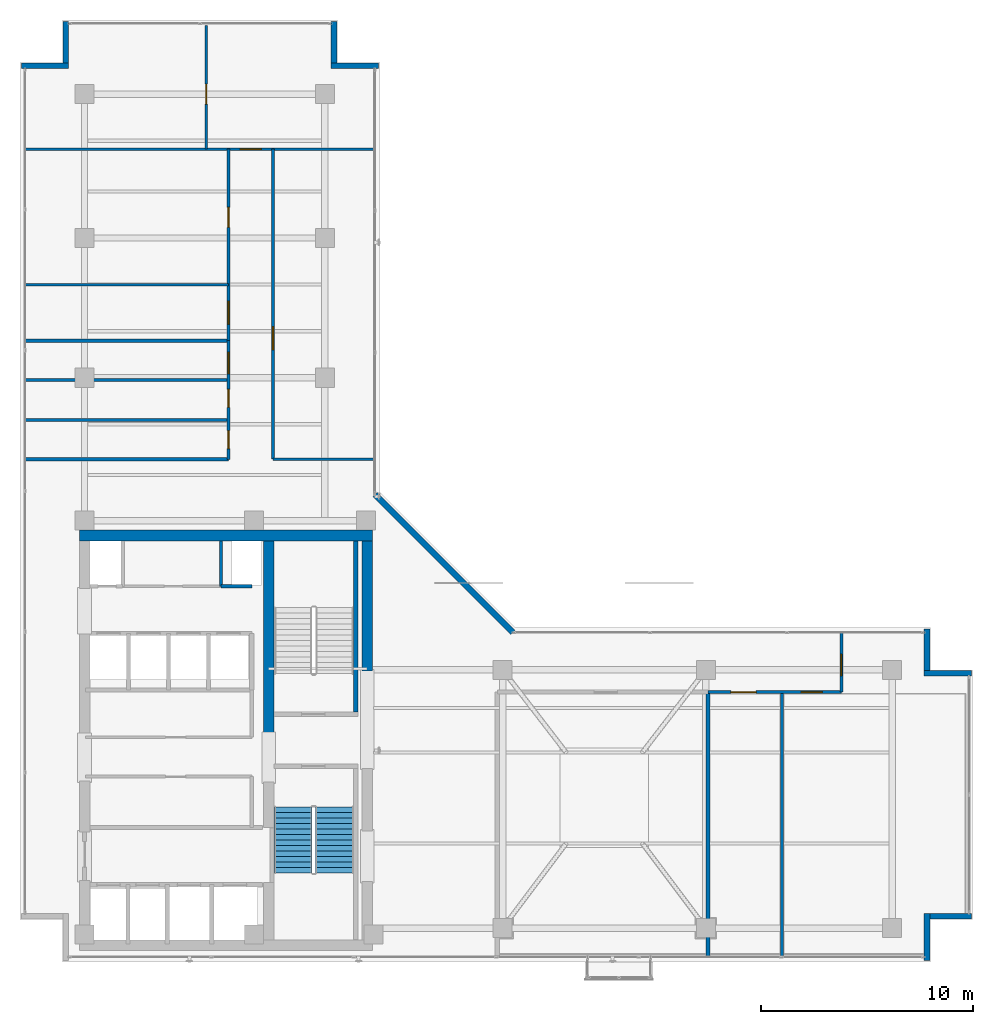
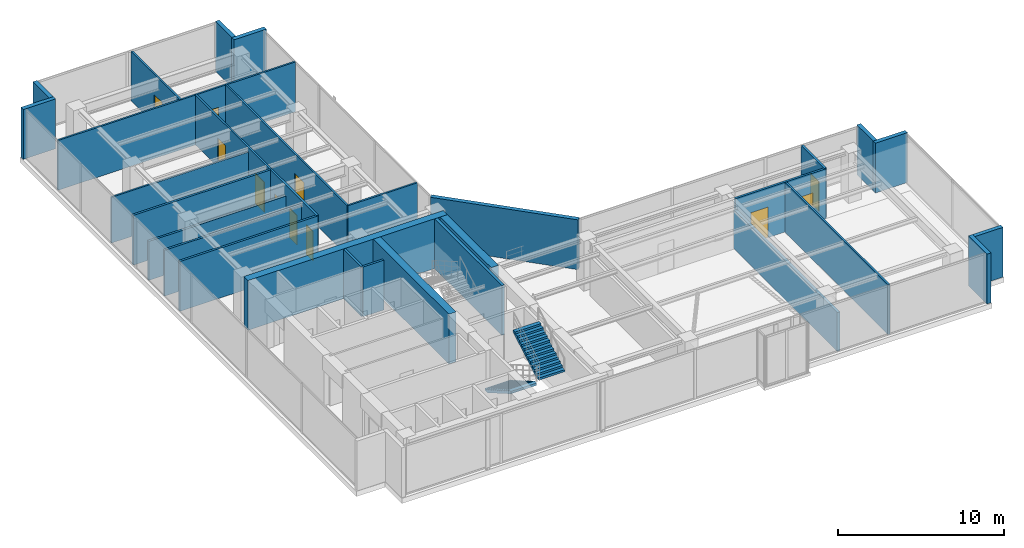
# One storey, part 25 of 31: 30 walls, 11 doors, 2 stair flights, 11 openings, 1 element without a shape of its own.
"""IFC4 building model written with IfcOpenShell, lengths in metres."""

from ifc_helpers import new_model, si_unit, direction, frame, frame_2d, origin, place, context, subcontext, project, spatial, polyline, rectangle, outline, extrude, material, layer, layer_set, type_object, element, fill, aggregate, save


model = new_model("IFC4")

# Units and contexts
model_context = context("Model", 3, precision=1e-05, world=origin(), true_north=direction((0.0, 1.0)))
body_context = subcontext(model_context, "Body", "Model", "MODEL_VIEW")
ifc_project = project(units=[si_unit("LENGTHUNIT", "METRE"), si_unit("AREAUNIT", "SQUARE_METRE"), si_unit("VOLUMEUNIT", "CUBIC_METRE"), si_unit("PLANEANGLEUNIT", "RADIAN"), si_unit("MASSUNIT", "GRAM", prefix="KILO")], contexts=[model_context])

# Site, building, storey
site_placement = place(None, origin())
site = spatial("IfcSite", under=ifc_project, at=site_placement, CompositionType="ELEMENT")
building_placement = place(site_placement, origin())
building = spatial("IfcBuilding", under=site, at=building_placement, Name="Kolvaren Waterfront Exchange", CompositionType="ELEMENT")
storey_placement = place(building_placement, frame((0.0, 0.0, 344.199951171875)))
storey = spatial("IfcBuildingStorey", under=building, at=storey_placement, Name="L88", CompositionType="ELEMENT", Elevation=344.199951171875)

# Walls
ifc_material_1 = material(Name="Precast concrete C40/50", Category="concrete")
ifc_layer_1 = layer(ifc_material_1, 0.280029296875, Name="Precast concrete C40/50")
ifc_layer_set_1 = layer_set([ifc_layer_1], Name="Precast concrete C40/50")
wall_type_1 = type_object("IfcWallType", Name="ARC-EXT-TERR-280", PredefinedType="SOLIDWALL", material=ifc_layer_set_1)
wall_1_placement = place(storey_placement, frame((47.239990234375, 3.659912109375, 0.0), z_axis=(0.0, 0.0, 1.0), x_axis=(0.0, 1.0, 0.0)))
element("IfcWall", 1, at=wall_1_placement, inside=storey, type_object=wall_type_1, Name="L88 notched corner spandrel pier SE-A", PredefinedType="SOLIDWALL", context=body_context, shape_type="SweptSolid", body=[
    extrude(rectangle(XDim=2.239990234375, YDim=0.280029296875, at=frame_2d((1.1201171875, 0.0))), origin(), (0.0, 0.0, 1.0), 3.66015625),
])
wall_2_placement = place(storey_placement, frame((47.3798828125, 5.760009765625, 0.0), z_axis=(0.0, 0.0, 1.0), x_axis=(1.0, 0.0, 0.0)))
element("IfcWall", 2, at=wall_2_placement, inside=storey, type_object=wall_type_1, Name="L88 notched corner spandrel pier SE-B", PredefinedType="SOLIDWALL", context=body_context, shape_type="SweptSolid", body=[
    extrude(rectangle(XDim=1.960205078125, YDim=0.280029296875, at=frame_2d((0.97998046875, 0.0))), origin(), (0.0, 0.0, 1.0), 3.66015625),
])
wall_3_placement = place(storey_placement, frame((47.239990234375, 17.364990234375, 0.0), z_axis=(0.0, 0.0, 1.0), x_axis=(0.0, 1.0, 0.0)))
element("IfcWall", 3, at=wall_3_placement, inside=storey, type_object=wall_type_1, Name="L88 notched corner spandrel pier ENE-A", PredefinedType="SOLIDWALL", context=body_context, shape_type="SweptSolid", body=[
    extrude(rectangle(XDim=1.97509765625, YDim=0.280029296875, at=frame_2d((0.987548828125, 0.0))), origin(), (0.0, 0.0, 1.0), 3.66015625),
])
for number, where, z_axis, x_axis, name in (
    (4, (47.10009765625, 17.239990234375, 0.0), (0.0, 0.0, 1.0), (1.0, 0.0, 0.0), "L88 notched corner spandrel pier ENE-B"),
    (5, (19.10009765625, 45.93994140625, 0.0), (0.0, 0.0, 1.0), (1.0, 0.0, 0.0), "L88 notched corner spandrel pier NNE-A"),
):
    element("IfcWall", number, at=place(storey_placement, frame(where, z_axis=z_axis, x_axis=x_axis)), inside=storey, type_object=wall_type_1, Name=name, PredefinedType="SOLIDWALL", context=body_context, shape_type="SweptSolid", body=[
        extrude(rectangle(XDim=2.239990234375, YDim=0.280029296875, at=frame_2d((1.1201171875, 0.0))), origin(), (0.0, 0.0, 1.0), 3.66015625),
    ])
wall_4_placement = place(storey_placement, frame((19.239990234375, 46.080078125, 0.0), z_axis=(0.0, 0.0, 1.0), x_axis=(0.0, 1.0, 0.0)))
element("IfcWall", 6, at=wall_4_placement, inside=storey, type_object=wall_type_1, Name="L88 notched corner spandrel pier NNE-B", PredefinedType="SOLIDWALL", context=body_context, shape_type="SweptSolid", body=[
    extrude(rectangle(XDim=1.9599609375, YDim=0.280029296875, at=frame_2d((0.97998046875, 0.0))), origin(), (0.0, 0.0, 1.0), 3.66015625),
])
wall_5_placement = place(storey_placement, frame((4.4599609375, 45.93994140625, 0.0), z_axis=(0.0, 0.0, 1.0), x_axis=(1.0, 0.0, 0.0)))
element("IfcWall", 7, at=wall_5_placement, inside=storey, type_object=wall_type_1, Name="L88 notched corner spandrel pier NW-A", PredefinedType="SOLIDWALL", context=body_context, shape_type="SweptSolid", body=[
    extrude(rectangle(XDim=2.239990234375, YDim=0.280029296875, at=frame_2d((1.1201171875, 0.0))), origin(), (0.0, 0.0, 1.0), 3.66015625),
])
wall_6_placement = place(storey_placement, frame((6.56005859375, 46.080078125, 0.0), z_axis=(0.0, 0.0, 1.0), x_axis=(0.0, 1.0, 0.0)))
element("IfcWall", 8, at=wall_6_placement, inside=storey, type_object=wall_type_1, Name="L88 notched corner spandrel pier NW-B", PredefinedType="SOLIDWALL", context=body_context, shape_type="SweptSolid", body=[
    extrude(rectangle(XDim=1.9599609375, YDim=0.280029296875, at=frame_2d((0.97998046875, 0.0))), origin(), (0.0, 0.0, 1.0), 3.66015625),
])
wall_7_placement = place(storey_placement, frame((27.68505859375, 19.175048828125, 0.0), z_axis=(0.0, 0.0, 1.0), x_axis=(-0.707106781187, 0.707106781187, 0.0)))
element("IfcWall", 9, at=wall_7_placement, inside=storey, type_object=wall_type_1, Name="L88 notched corner spandrel pier ELBOW", PredefinedType="SOLIDWALL", context=body_context, shape_type="SweptSolid", body=[
    extrude(rectangle(XDim=9.20654296875, YDim=0.280029296875, at=frame_2d((4.603271484375, 0.0))), origin(), (0.0, 0.0, 1.0), 3.66015625),
])
ifc_layer_2 = layer(ifc_material_1, 0.199951171875, Name="Precast concrete C40/50")
ifc_layer_set_2 = layer_set([ifc_layer_2], Name="Precast concrete C40/50")
wall_type_2 = type_object("IfcWallType", Name="ARC-FIRE-200", PredefinedType="PARTITIONING", material=ifc_layer_set_2)
wall_8_placement = place(storey_placement, frame((36.89990234375, 3.85009765625, 0.0), z_axis=(0.0, 0.0, 1.0), x_axis=(0.0, 1.0, 0.0)))
element("IfcWall", 10, at=wall_8_placement, inside=storey, type_object=wall_type_2, Name="L88 interior wall PW-L88-TMD-E", PredefinedType="PARTITIONING", context=body_context, shape_type="SweptSolid", body=[
    extrude(rectangle(XDim=12.5, YDim=0.199951171875, at=frame_2d((6.25, 0.0))), origin(), (0.0, 0.0, 1.0), 2.860107421875),
])
ifc_material_2 = material(Name="Acoustic gypsum steel stud", Category="steel")
ifc_layer_3 = layer(ifc_material_2, 0.125, Name="Acoustic gypsum steel stud")
ifc_layer_set_3 = layer_set([ifc_layer_3], Name="Acoustic gypsum steel stud")
wall_type_3 = type_object("IfcWallType", Name="ARC-PART-125", PredefinedType="PARTITIONING", material=ifc_layer_set_3)
wall_9_placement = place(storey_placement, frame((40.39990234375, 3.85009765625, 0.0), z_axis=(0.0, 0.0, 1.0), x_axis=(0.0, 1.0, 0.0)))
element("IfcWall", 11, at=wall_9_placement, inside=storey, type_object=wall_type_3, Name="L88 interior wall PW-L88-CR-EB88-M", PredefinedType="PARTITIONING", context=body_context, shape_type="SweptSolid", body=[
    extrude(rectangle(XDim=12.5, YDim=0.125, at=frame_2d((6.25, 0.0))), origin(), (0.0, 0.0, 1.0), 3.66015625),
])

# Wall, openings, doors
wall_10_placement = place(storey_placement, frame((14.25, 32.949951171875, 0.0), z_axis=(0.0, 0.0, 1.0), x_axis=(0.0, 1.0, 0.0)))
wall_10 = element("IfcWall", 12, at=wall_10_placement, inside=storey, type_object=wall_type_3, Name="L88 interior wall PW-L88-CR-MEM-E", PredefinedType="PARTITIONING", context=body_context, shape_type="SweptSolid", body=[
    extrude(rectangle(XDim=9.050048828125, YDim=0.125, at=frame_2d((4.52490234375, 0.0))), origin(), (0.0, 0.0, 1.0), 3.66015625),
])
opening_1_placement = place(wall_10_placement, frame((0.77490234375, 0.0, 0.0)))
opening_1 = element("IfcOpeningElement", 13, at=opening_1_placement, cuts=wall_10, Name="Opening D04", PredefinedType="OPENING", context=body_context, shape_type="SweptSolid", body=[
    extrude(rectangle(XDim=1.10009765625, YDim=2.199951171875, at=frame_2d((0.550048828125, 1.10009765625))), frame((0.0, 0.072509765625, 0.0), z_axis=(0.0, -1.0, 0.0), x_axis=(1.0, 0.0, 0.0)), (0.0, 0.0, 1.0), 0.14501953125),
])
opening_2_placement = place(wall_10_placement, frame((5.35009765625, 0.0, 0.0)))
opening_2 = element("IfcOpeningElement", 14, at=opening_2_placement, cuts=wall_10, Name="Opening D02", PredefinedType="OPENING", context=body_context, shape_type="SweptSolid", body=[
    extrude(rectangle(XDim=0.949951171875, YDim=2.14990234375, at=frame_2d((0.47509765625, 1.074951171875))), frame((0.0, 0.072509765625, 0.0), z_axis=(0.0, -1.0, 0.0), x_axis=(1.0, 0.0, 0.0)), (0.0, 0.0, 1.0), 0.14501953125),
])
ifc_material_3 = material(Name="Anodised bronze framed glass", Category="aluminium")
door_type_1 = type_object("IfcDoorType", Name="ARC-DR-1100", OperationType="NOTDEFINED", PredefinedType="DOOR", material=ifc_material_3)
door_1_placement = place(opening_1_placement, origin())
door_1 = element("IfcDoor", 15, at=door_1_placement, inside=storey, type_object=door_type_1, Name="L88 door DR-L88-CM1-D (D04)", OperationType="SINGLE_SWING_LEFT", OverallHeight=2.199951171875, OverallWidth=1.10009765625, PredefinedType="DOOR", context=body_context, shape_type="SweptSolid", body=[
    extrude(rectangle(XDim=1.10009765625, YDim=2.199951171875, at=frame_2d((0.550048828125, 1.10009765625))), frame((0.0, 0.02490234375, 0.0), z_axis=(0.0, -1.0, 0.0), x_axis=(1.0, 0.0, 0.0)), (0.0, 0.0, 1.0), 0.050048828125),
])
fill(opening_1, door_1)
ifc_material_4 = material(Name="Oak veneer acoustic timber", Category="wood")
door_type_2 = type_object("IfcDoorType", Name="ARC-DR-950", OperationType="NOTDEFINED", PredefinedType="DOOR", material=ifc_material_4)
door_2_placement = place(opening_2_placement, origin())
door_2 = element("IfcDoor", 16, at=door_2_placement, inside=storey, type_object=door_type_2, Name="L88 door DR-L88-CMP-D (D02)", OperationType="SINGLE_SWING_RIGHT", OverallHeight=2.14990234375, OverallWidth=0.949951171875, PredefinedType="DOOR", context=body_context, shape_type="SweptSolid", body=[
    extrude(rectangle(XDim=0.949951171875, YDim=2.14990234375, at=frame_2d((0.47509765625, 1.074951171875))), frame((0.0, 0.02490234375, 0.0), z_axis=(0.0, -1.0, 0.0), x_axis=(1.0, 0.0, 0.0)), (0.0, 0.0, 1.0), 0.050048828125),
])
fill(opening_2, door_2)

# Wall
wall_11_placement = place(storey_placement, frame((4.64990234375, 35.60009765625, 0.0), z_axis=(0.0, 0.0, 1.0), x_axis=(1.0, 0.0, 0.0)))
element("IfcWall", 17, at=wall_11_placement, inside=storey, type_object=wall_type_3, Name="L88 interior wall PW-L88-CR-MEM-MID", PredefinedType="PARTITIONING", context=body_context, shape_type="SweptSolid", body=[
    extrude(rectangle(XDim=9.60009765625, YDim=0.125, at=frame_2d((4.800048828125, 0.0))), origin(), (0.0, 0.0, 1.0), 3.360107421875),
])

# Wall, opening, door
wall_12_placement = place(storey_placement, frame((4.64990234375, 42.0, 0.0), z_axis=(0.0, 0.0, 1.0), x_axis=(1.0, 0.0, 0.0)))
wall_12 = element("IfcWall", 18, at=wall_12_placement, inside=storey, type_object=wall_type_3, Name="L88 interior wall PW-L88-CR-MEM-TOP", PredefinedType="PARTITIONING", context=body_context, shape_type="SweptSolid", body=[
    extrude(rectangle(XDim=16.5, YDim=0.125, at=frame_2d((8.25, 0.0))), origin(), (0.0, 0.0, 1.0), 3.66015625),
])
opening_3_placement = place(wall_12_placement, frame((10.14990234375, 0.0, 0.0)))
opening_3 = element("IfcOpeningElement", 19, at=opening_3_placement, cuts=wall_12, Name="Opening D03", PredefinedType="OPENING", context=body_context, shape_type="SweptSolid", body=[
    extrude(rectangle(XDim=1.0, YDim=2.199951171875, at=frame_2d((0.5, 1.10009765625))), frame((0.0, 0.072509765625, 0.0), z_axis=(0.0, -1.0, 0.0), x_axis=(1.0, 0.0, 0.0)), (0.0, 0.0, 1.0), 0.14501953125),
])
ifc_material_5 = material(Name="Oak veneer accessible timber", Category="wood")
door_type_3 = type_object("IfcDoorType", Name="ARC-DR-1000", OperationType="NOTDEFINED", PredefinedType="DOOR", material=ifc_material_5)
door_3_placement = place(opening_3_placement, origin())
door_3 = element("IfcDoor", 20, at=door_3_placement, inside=storey, type_object=door_type_3, Name="L88 door DR-L88-CRNT-D (D03)", OperationType="SINGLE_SWING_LEFT", OverallHeight=2.199951171875, OverallWidth=1.0, PredefinedType="DOOR", context=body_context, shape_type="SweptSolid", body=[
    extrude(rectangle(XDim=1.0, YDim=2.199951171875, at=frame_2d((0.5, 1.10009765625))), frame((0.0, 0.02490234375, 0.0), z_axis=(0.0, -1.0, 0.0), x_axis=(1.0, 0.0, 0.0)), (0.0, 0.0, 1.0), 0.050048828125),
])
fill(opening_3, door_3)

wall_13_placement = place(storey_placement, frame((13.199951171875, 42.0, 0.0), z_axis=(0.0, 0.0, 1.0), x_axis=(0.0, 1.0, 0.0)))
wall_13 = element("IfcWall", 21, at=wall_13_placement, inside=storey, type_object=wall_type_3, Name="L88 interior wall PW-L88-CR-NTIP-DIV", PredefinedType="PARTITIONING", context=body_context, shape_type="SweptSolid", body=[
    extrude(rectangle(XDim=5.85009765625, YDim=0.125, at=frame_2d((2.925048828125, 0.0))), origin(), (0.0, 0.0, 1.0), 3.66015625),
])
opening_4_placement = place(wall_13_placement, frame((2.125, 0.0, 0.0)))
opening_4 = element("IfcOpeningElement", 22, at=opening_4_placement, cuts=wall_13, Name="Opening D02", PredefinedType="OPENING", context=body_context, shape_type="SweptSolid", body=[
    extrude(rectangle(XDim=0.949951171875, YDim=2.14990234375, at=frame_2d((0.47509765625, 1.074951171875))), frame((0.0, 0.072509765625, 0.0), z_axis=(0.0, -1.0, 0.0), x_axis=(1.0, 0.0, 0.0)), (0.0, 0.0, 1.0), 0.14501953125),
])
door_4_placement = place(opening_4_placement, origin())
door_4 = element("IfcDoor", 23, at=door_4_placement, inside=storey, type_object=door_type_2, Name="L88 door DR-L88-CRNTW-D (D02)", OperationType="SINGLE_SWING_RIGHT", OverallHeight=2.14990234375, OverallWidth=0.949951171875, PredefinedType="DOOR", context=body_context, shape_type="SweptSolid", body=[
    extrude(rectangle(XDim=0.949951171875, YDim=2.14990234375, at=frame_2d((0.47509765625, 1.074951171875))), frame((0.0, 0.02490234375, 0.0), z_axis=(0.0, -1.0, 0.0), x_axis=(1.0, 0.0, 0.0)), (0.0, 0.0, 1.0), 0.050048828125),
])
fill(opening_4, door_4)

wall_14_placement = place(storey_placement, frame((16.35009765625, 27.35009765625, 0.0), z_axis=(0.0, 0.0, 1.0), x_axis=(0.0, 1.0, 0.0)))
wall_14 = element("IfcWall", 24, at=wall_14_placement, inside=storey, type_object=wall_type_3, Name="L88 interior wall PW-L88-CR-ELB-W", PredefinedType="PARTITIONING", context=body_context, shape_type="SweptSolid", body=[
    extrude(rectangle(XDim=14.64990234375, YDim=0.125, at=frame_2d((7.324951171875, 0.0))), origin(), (0.0, 0.0, 1.0), 3.66015625),
])
opening_5_placement = place(wall_14_placement, frame((5.17041015625, 0.0, 0.0)))
opening_5 = element("IfcOpeningElement", 25, at=opening_5_placement, cuts=wall_14, Name="Opening D04", PredefinedType="OPENING", context=body_context, shape_type="SweptSolid", body=[
    extrude(rectangle(XDim=1.10009765625, YDim=2.199951171875, at=frame_2d((0.550048828125, 1.10009765625))), frame((0.0, 0.072509765625, 0.0), z_axis=(0.0, -1.0, 0.0), x_axis=(1.0, 0.0, 0.0)), (0.0, 0.0, 1.0), 0.14501953125),
])
door_5_placement = place(opening_5_placement, origin())
door_5 = element("IfcDoor", 26, at=door_5_placement, inside=storey, type_object=door_type_1, Name="L88 door DR-L88-CSE-D (D04)", OperationType="SINGLE_SWING_LEFT", OverallHeight=2.199951171875, OverallWidth=1.10009765625, PredefinedType="DOOR", context=body_context, shape_type="SweptSolid", body=[
    extrude(rectangle(XDim=1.10009765625, YDim=2.199951171875, at=frame_2d((0.550048828125, 1.10009765625))), frame((0.0, 0.02490234375, 0.0), z_axis=(0.0, -1.0, 0.0), x_axis=(1.0, 0.0, 0.0)), (0.0, 0.0, 1.0), 0.050048828125),
])
fill(opening_5, door_5)

# Walls
wall_15_placement = place(storey_placement, frame((16.35009765625, 27.35009765625, 0.0), z_axis=(0.0, 0.0, 1.0), x_axis=(1.0, 0.0, 0.0)))
element("IfcWall", 27, at=wall_15_placement, inside=storey, type_object=wall_type_3, Name="L88 interior wall PW-L88-CR-ELB-S", PredefinedType="PARTITIONING", context=body_context, shape_type="SweptSolid", body=[
    extrude(rectangle(XDim=4.7998046875, YDim=0.125, at=frame_2d((2.39990234375, 0.0))), origin(), (0.0, 0.0, 1.0), 3.66015625),
])
ifc_material_6 = material(Name="Gypsum fireboard steel stud", Category="steel")
ifc_layer_4 = layer(ifc_material_6, 0.14990234375, Name="Gypsum fireboard steel stud")
ifc_layer_set_4 = layer_set([ifc_layer_4], Name="Gypsum fireboard steel stud")
wall_type_4 = type_object("IfcWallType", Name="ARC-PART-150", PredefinedType="PARTITIONING", material=ifc_layer_set_4)
wall_16_placement = place(storey_placement, frame((13.89990234375, 21.35009765625, 0.0), z_axis=(0.0, 0.0, 1.0), x_axis=(0.0, 1.0, 0.0)))
element("IfcWall", 28, at=wall_16_placement, inside=storey, type_object=wall_type_4, Name="L88 interior wall PW-L88-SVC-R2", PredefinedType="PARTITIONING", context=body_context, shape_type="SweptSolid", body=[
    extrude(rectangle(XDim=2.1298828125, YDim=0.14990234375, at=frame_2d((1.06494140625, 0.0))), origin(), (0.0, 0.0, 1.0), 3.66015625),
])
wall_17_placement = place(storey_placement, frame((13.89990234375, 21.35009765625, 0.0), z_axis=(0.0, 0.0, 1.0), x_axis=(1.0, 0.0, 0.0)))
element("IfcWall", 29, at=wall_17_placement, inside=storey, type_object=wall_type_4, Name="L88 interior wall PW-L88-SVC-RP-S", PredefinedType="PARTITIONING", context=body_context, shape_type="SweptSolid", body=[
    extrude(rectangle(XDim=1.4501953125, YDim=0.14990234375, at=frame_2d((0.72509765625, 0.0))), origin(), (0.0, 0.0, 1.0), 3.66015625),
])

# Wall, openings, doors
wall_18_placement = place(storey_placement, frame((36.89990234375, 16.35009765625, 0.0), z_axis=(0.0, 0.0, 1.0), x_axis=(1.0, 0.0, 0.0)))
wall_18 = element("IfcWall", 30, at=wall_18_placement, inside=storey, type_object=wall_type_4, Name="L88 interior wall PW-L88-CR-CORR-S", PredefinedType="PARTITIONING", context=body_context, shape_type="SweptSolid", body=[
    extrude(rectangle(XDim=6.300048828125, YDim=0.14990234375, at=frame_2d((3.14990234375, 0.0))), origin(), (0.0, 0.0, 1.0), 3.66015625),
])
opening_6_placement = place(wall_18_placement, frame((1.077880859375, 0.0, 0.0)))
opening_6 = element("IfcOpeningElement", 31, at=opening_6_placement, cuts=wall_18, Name="Opening D05", PredefinedType="OPENING", context=body_context, shape_type="SweptSolid", body=[
    extrude(rectangle(XDim=1.199951171875, YDim=2.25, at=frame_2d((0.60009765625, 1.125))), frame((0.0, 0.0849609375, 0.0), z_axis=(0.0, -1.0, 0.0), x_axis=(1.0, 0.0, 0.0)), (0.0, 0.0, 1.0), 0.169921875),
])
opening_7_placement = place(wall_18_placement, frame((4.39990234375, 0.0, 0.0)))
opening_7 = element("IfcOpeningElement", 32, at=opening_7_placement, cuts=wall_18, Name="Opening D03", PredefinedType="OPENING", context=body_context, shape_type="SweptSolid", body=[
    extrude(rectangle(XDim=1.0, YDim=2.199951171875, at=frame_2d((0.5, 1.10009765625))), frame((0.0, 0.0849609375, 0.0), z_axis=(0.0, -1.0, 0.0), x_axis=(1.0, 0.0, 0.0)), (0.0, 0.0, 1.0), 0.169921875),
])
door_6_placement = place(opening_7_placement, origin())
door_6 = element("IfcDoor", 33, at=door_6_placement, inside=storey, type_object=door_type_3, Name="L88 door DR-L88-CRLN-D (D03)", OperationType="SINGLE_SWING_RIGHT", OverallHeight=2.199951171875, OverallWidth=1.0, PredefinedType="DOOR", context=body_context, shape_type="SweptSolid", body=[
    extrude(rectangle(XDim=1.0, YDim=2.199951171875, at=frame_2d((0.5, 1.10009765625))), frame((0.0, 0.02490234375, 0.0), z_axis=(0.0, -1.0, 0.0), x_axis=(1.0, 0.0, 0.0)), (0.0, 0.0, 1.0), 0.050048828125),
])
fill(opening_7, door_6)
door_type_4 = type_object("IfcDoorType", Name="ARC-DR-1200", OperationType="NOTDEFINED", PredefinedType="DOOR", material=ifc_material_3)
door_7_placement = place(opening_6_placement, origin())
door_7 = element("IfcDoor", 34, at=door_7_placement, inside=storey, type_object=door_type_4, Name="L88 door DR-L88-CRL-D (D05)", OperationType="SINGLE_SWING_LEFT", OverallHeight=2.25, OverallWidth=1.199951171875, PredefinedType="DOOR", context=body_context, shape_type="SweptSolid", body=[
    extrude(rectangle(XDim=1.199951171875, YDim=2.25, at=frame_2d((0.60009765625, 1.125))), frame((0.0, 0.02490234375, 0.0), z_axis=(0.0, -1.0, 0.0), x_axis=(1.0, 0.0, 0.0)), (0.0, 0.0, 1.0), 0.050048828125),
])
fill(opening_6, door_7)

# Wall, opening, door
wall_19_placement = place(storey_placement, frame((43.199951171875, 16.35009765625, 0.0), z_axis=(0.0, 0.0, 1.0), x_axis=(0.0, 1.0, 0.0)))
wall_19 = element("IfcWall", 35, at=wall_19_placement, inside=storey, type_object=wall_type_4, Name="L88 interior wall PW-L88-CR-CORR-E", PredefinedType="PARTITIONING", context=body_context, shape_type="SweptSolid", body=[
    extrude(rectangle(XDim=2.7998046875, YDim=0.14990234375, at=frame_2d((1.39990234375, 0.0))), origin(), (0.0, 0.0, 1.0), 3.66015625),
])
opening_8_placement = place(wall_19_placement, frame((0.780029296875, 0.0, 0.0)))
opening_8 = element("IfcOpeningElement", 36, at=opening_8_placement, cuts=wall_19, Name="Opening D03", PredefinedType="OPENING", context=body_context, shape_type="SweptSolid", body=[
    extrude(rectangle(XDim=1.0, YDim=2.199951171875, at=frame_2d((0.5, 1.10009765625))), frame((0.0, 0.0849609375, 0.0), z_axis=(0.0, -1.0, 0.0), x_axis=(1.0, 0.0, 0.0)), (0.0, 0.0, 1.0), 0.169921875),
])
door_8_placement = place(opening_8_placement, origin())
door_8 = element("IfcDoor", 37, at=door_8_placement, inside=storey, type_object=door_type_3, Name="L88 door DR-L88-CRLE-D (D03)", OperationType="SINGLE_SWING_LEFT", OverallHeight=2.199951171875, OverallWidth=1.0, PredefinedType="DOOR", context=body_context, shape_type="SweptSolid", body=[
    extrude(rectangle(XDim=1.0, YDim=2.199951171875, at=frame_2d((0.5, 1.10009765625))), frame((0.0, 0.02490234375, 0.0), z_axis=(0.0, -1.0, 0.0), x_axis=(1.0, 0.0, 0.0)), (0.0, 0.0, 1.0), 0.050048828125),
])
fill(opening_8, door_8)

# Wall
ifc_material_7 = material(Name="Moisture-resistant gypsum stud")
ifc_layer_5 = layer(ifc_material_7, 0.14990234375, Name="Moisture-resistant gypsum stud")
ifc_layer_set_5 = layer_set([ifc_layer_5], Name="Moisture-resistant gypsum stud")
wall_type_5 = type_object("IfcWallType", Name="ARC-PLUMB-150", PredefinedType="PLUMBINGWALL", material=ifc_layer_set_5)
wall_20_placement = place(storey_placement, frame((4.64990234375, 27.35009765625, 0.0), z_axis=(0.0, 0.0, 1.0), x_axis=(1.0, 0.0, 0.0)))
element("IfcWall", 38, at=wall_20_placement, inside=storey, type_object=wall_type_5, Name="L88 interior wall PW-L88-CR-WC0", PredefinedType="PLUMBINGWALL", context=body_context, shape_type="SweptSolid", body=[
    extrude(rectangle(XDim=9.60009765625, YDim=0.14990234375, at=frame_2d((4.800048828125, 0.0))), origin(), (0.0, 0.0, 1.0), 3.66015625),
])

# Wall, openings, doors
wall_21_placement = place(storey_placement, frame((14.25, 27.35009765625, 0.0), z_axis=(0.0, 0.0, 1.0), x_axis=(0.0, 1.0, 0.0)))
wall_21 = element("IfcWall", 39, at=wall_21_placement, inside=storey, type_object=wall_type_5, Name="L88 interior wall PW-L88-CR-WC-E", PredefinedType="PLUMBINGWALL", context=body_context, shape_type="SweptSolid", body=[
    extrude(rectangle(XDim=5.599853515625, YDim=0.14990234375, at=frame_2d((2.7998046875, 0.0))), origin(), (0.0, 0.0, 1.0), 3.66015625),
])
opening_9_placement = place(wall_21_placement, frame((0.5, 0.0, 0.0)))
opening_9 = element("IfcOpeningElement", 40, at=opening_9_placement, cuts=wall_21, Name="Opening D01", PredefinedType="OPENING", context=body_context, shape_type="SweptSolid", body=[
    extrude(rectangle(XDim=0.85009765625, YDim=2.14990234375, at=frame_2d((0.425048828125, 1.074951171875))), frame((0.0, 0.0849609375, 0.0), z_axis=(0.0, -1.0, 0.0), x_axis=(1.0, 0.0, 0.0)), (0.0, 0.0, 1.0), 0.169921875),
])
opening_10_placement = place(wall_21_placement, frame((2.449951171875, 0.0, 0.0)))
opening_10 = element("IfcOpeningElement", 41, at=opening_10_placement, cuts=wall_21, Name="Opening D01", PredefinedType="OPENING", context=body_context, shape_type="SweptSolid", body=[
    extrude(rectangle(XDim=0.85009765625, YDim=2.14990234375, at=frame_2d((0.425048828125, 1.074951171875))), frame((0.0, 0.0849609375, 0.0), z_axis=(0.0, -1.0, 0.0), x_axis=(1.0, 0.0, 0.0)), (0.0, 0.0, 1.0), 0.169921875),
])
opening_11_placement = place(wall_21_placement, frame((4.050048828125, 0.0, 0.0)))
opening_11 = element("IfcOpeningElement", 42, at=opening_11_placement, cuts=wall_21, Name="Opening D03", PredefinedType="OPENING", context=body_context, shape_type="SweptSolid", body=[
    extrude(rectangle(XDim=1.0, YDim=2.199951171875, at=frame_2d((0.5, 1.10009765625))), frame((0.0, 0.0849609375, 0.0), z_axis=(0.0, -1.0, 0.0), x_axis=(1.0, 0.0, 0.0)), (0.0, 0.0, 1.0), 0.169921875),
])
door_9_placement = place(opening_11_placement, origin())
door_9 = element("IfcDoor", 43, at=door_9_placement, inside=storey, type_object=door_type_3, Name="L88 door DR-L88-CWCA-D (D03)", OperationType="SINGLE_SWING_RIGHT", OverallHeight=2.199951171875, OverallWidth=1.0, PredefinedType="DOOR", context=body_context, shape_type="SweptSolid", body=[
    extrude(rectangle(XDim=1.0, YDim=2.199951171875, at=frame_2d((0.5, 1.10009765625))), frame((0.0, 0.02490234375, 0.0), z_axis=(0.0, -1.0, 0.0), x_axis=(1.0, 0.0, 0.0)), (0.0, 0.0, 1.0), 0.050048828125),
])
fill(opening_11, door_9)
ifc_material_8 = material(Name="Oak veneer timber leaf", Category="wood")
door_type_5 = type_object("IfcDoorType", Name="ARC-DR-900", OperationType="NOTDEFINED", PredefinedType="DOOR", material=ifc_material_8)
door_10_placement = place(opening_9_placement, origin())
door_10 = element("IfcDoor", 44, at=door_10_placement, inside=storey, type_object=door_type_5, Name="L88 door DR-L88-CWCM-D (D01)", OperationType="SINGLE_SWING_RIGHT", OverallHeight=2.14990234375, OverallWidth=0.85009765625, PredefinedType="DOOR", context=body_context, shape_type="SweptSolid", body=[
    extrude(rectangle(XDim=0.85009765625, YDim=2.14990234375, at=frame_2d((0.425048828125, 1.074951171875))), frame((0.0, 0.02490234375, 0.0), z_axis=(0.0, -1.0, 0.0), x_axis=(1.0, 0.0, 0.0)), (0.0, 0.0, 1.0), 0.050048828125),
])
fill(opening_9, door_10)
door_11_placement = place(opening_10_placement, origin())
door_11 = element("IfcDoor", 45, at=door_11_placement, inside=storey, type_object=door_type_5, Name="L88 door DR-L88-CWCF-D (D01)", OperationType="SINGLE_SWING_LEFT", OverallHeight=2.14990234375, OverallWidth=0.85009765625, PredefinedType="DOOR", context=body_context, shape_type="SweptSolid", body=[
    extrude(rectangle(XDim=0.85009765625, YDim=2.14990234375, at=frame_2d((0.425048828125, 1.074951171875))), frame((0.0, 0.02490234375, 0.0), z_axis=(0.0, -1.0, 0.0), x_axis=(1.0, 0.0, 0.0)), (0.0, 0.0, 1.0), 0.050048828125),
])
fill(opening_10, door_11)

# Walls
wall_22_placement = place(storey_placement, frame((4.64990234375, 29.199951171875, 0.0), z_axis=(0.0, 0.0, 1.0), x_axis=(1.0, 0.0, 0.0)))
element("IfcWall", 46, at=wall_22_placement, inside=storey, type_object=wall_type_5, Name="L88 interior wall PW-L88-CR-WC1", PredefinedType="PLUMBINGWALL", context=body_context, shape_type="SweptSolid", body=[
    extrude(rectangle(XDim=9.60009765625, YDim=0.14990234375, at=frame_2d((4.800048828125, 0.0))), origin(), (0.0, 0.0, 1.0), 3.360107421875),
])
wall_23_placement = place(storey_placement, frame((4.64990234375, 31.10009765625, 0.0), z_axis=(0.0, 0.0, 1.0), x_axis=(1.0, 0.0, 0.0)))
element("IfcWall", 47, at=wall_23_placement, inside=storey, type_object=wall_type_5, Name="L88 interior wall PW-L88-CR-WC2", PredefinedType="PLUMBINGWALL", context=body_context, shape_type="SweptSolid", body=[
    extrude(rectangle(XDim=9.60009765625, YDim=0.14990234375, at=frame_2d((4.800048828125, 0.0))), origin(), (0.0, 0.0, 1.0), 2.860107421875),
])
wall_24_placement = place(storey_placement, frame((4.64990234375, 32.949951171875, 0.0), z_axis=(0.0, 0.0, 1.0), x_axis=(1.0, 0.0, 0.0)))
element("IfcWall", 48, at=wall_24_placement, inside=storey, type_object=wall_type_5, Name="L88 interior wall PW-L88-CR-WC3", PredefinedType="PLUMBINGWALL", context=body_context, shape_type="SweptSolid", body=[
    extrude(rectangle(XDim=9.60009765625, YDim=0.14990234375, at=frame_2d((4.800048828125, 0.0))), origin(), (0.0, 0.0, 1.0), 3.66015625),
])
ifc_material_9 = material(Name="Concrete C40/50", Category="concrete")
ifc_layer_6 = layer(ifc_material_9, 0.199951171875, Name="Concrete C40/50")
ifc_layer_set_6 = layer_set([ifc_layer_6], Name="Concrete C40/50")
wall_type_6 = type_object("IfcWallType", Name="ARC-SHAFT-200", PredefinedType="PARTITIONING", material=ifc_layer_set_6)
wall_25_placement = place(storey_placement, frame((20.260009765625, 15.39990234375, 0.0), z_axis=(0.0, 0.0, 1.0), x_axis=(0.0, 1.0, 0.0)))
element("IfcWall", 49, at=wall_25_placement, inside=storey, type_object=wall_type_6, Name="L88 structural stairwell wall PW-L88-ST2-E", PredefinedType="SHEAR", context=body_context, shape_type="SweptSolid", body=[
    extrude(rectangle(XDim=8.090087890625, YDim=0.199951171875, at=frame_2d((4.044921875, 0.0))), origin(), (0.0, 0.0, 1.0), 3.66015625),
])
ifc_material_10 = material(Name="Concrete C50/60", Category="concrete")
ifc_layer_7 = layer(ifc_material_10, 0.5, Name="Concrete C50/60")
ifc_layer_set_7 = layer_set([ifc_layer_7], Name="Concrete C50/60")
wall_type_7 = type_object("IfcWallType", Name="STR-CWALL-500", PredefinedType="SHEAR", material=ifc_layer_set_7)
wall_26_placement = place(storey_placement, frame((7.199951171875, 23.75, 0.0), z_axis=(0.0, 0.0, 1.0), x_axis=(1.0, 0.0, 0.0)))
element("IfcWall", 50, at=wall_26_placement, inside=storey, type_object=wall_type_7, Name="L88 rear-core shear wall N", PredefinedType="SHEAR", context=body_context, shape_type="SweptSolid", body=[
    extrude(rectangle(XDim=13.85009765625, YDim=0.5, at=frame_2d((6.925048828125, 0.0))), origin(), (0.0, 0.0, 1.0), 3.66015625),
])
wall_27_placement = place(storey_placement, frame((20.800048828125, 17.35009765625, 0.0), z_axis=(0.0, 0.0, 1.0), x_axis=(0.0, 1.0, 0.0)))
element("IfcWall", 51, at=wall_27_placement, inside=storey, type_object=wall_type_7, Name="L88 rear-core shear wall E3", PredefinedType="SHEAR", context=body_context, shape_type="SweptSolid", body=[
    extrude(rectangle(XDim=6.14990234375, YDim=0.5, at=frame_2d((3.074951171875, 0.0))), origin(), (0.0, 0.0, 1.0), 3.66015625),
])
wall_28_placement = place(storey_placement, frame((16.14990234375, 14.39990234375, 0.0), z_axis=(0.0, 0.0, 1.0), x_axis=(0.0, 1.0, 0.0)))
element("IfcWall", 52, at=wall_28_placement, inside=storey, type_object=wall_type_7, Name="L88 rear-core shear wall M3", PredefinedType="SHEAR", context=body_context, shape_type="SweptSolid", body=[
    extrude(rectangle(XDim=9.10009765625, YDim=0.5, at=frame_2d((4.550048828125, 0.0))), origin(), (0.0, 0.0, 1.0), 3.66015625),
])

# Stair, stair flights
stair_type = type_object("IfcStairType", Name="ARC-STAIR-3900", PredefinedType="HALF_TURN_STAIR", material=ifc_material_9)
stair_placement = place(storey_placement, origin())
stair = element("IfcStair", 53, at=stair_placement, inside=storey, type_object=stair_type, Name="L88 Smoke-proof exit stair ST1", PredefinedType="HALF_TURN_STAIR")
stair_flight_type = type_object("IfcStairFlightType", Name="ARC-FLIGHT-3900", PredefinedType="STRAIGHT", material=ifc_material_9)
stair_flight_1_placement = place(storey_placement, frame((17.300048828125, 10.929931640625, 0.0), z_axis=(0.0, 0.0, 1.0), x_axis=(0.0, -1.0, 0.0)))
stair_flight_1 = element("IfcStairFlight", 54, at=stair_flight_1_placement, type_object=stair_flight_type, Name="ST1 flight 1", NumberOfRisers=13, NumberOfTreads=12, PredefinedType="STRAIGHT", RiserHeight=0.15, TreadLength=0.26, context=body_context, shape_type="SweptSolid", body=[
    extrude(outline(polyline([(0.0, 0.0), (0.0, 0.14990234375), (0.260009765625, 0.14990234375), (0.260009765625, 0.300048828125), (0.52001953125, 0.300048828125), (0.52001953125, 0.449951171875), (0.780029296875, 0.449951171875), (0.780029296875, 0.60009765625), (1.0400390625, 0.60009765625), (1.0400390625, 0.75), (1.300048828125, 0.75), (1.300048828125, 0.89990234375), (1.56005859375, 0.89990234375), (1.56005859375, 1.050048828125), (1.820068359375, 1.050048828125), (1.820068359375, 1.199951171875), (2.080078125, 1.199951171875), (2.080078125, 1.35009765625), (2.340087890625, 1.35009765625), (2.340087890625, 1.5), (2.60009765625, 1.5), (2.60009765625, 1.64990234375), (2.860107421875, 1.64990234375), (2.860107421875, 1.800048828125), (3.1201171875, 1.800048828125), (3.1201171875, 1.949951171875), (3.1201171875, 1.626953125), (0.300048828125, 0.0), (0.0, 0.0)])), frame((0.0, 0.89990234375, 0.0), z_axis=(0.0, -1.0, 0.0), x_axis=(1.0, 0.0, 0.0)), (0.0, 0.0, 1.0), 1.800048828125),
])
stair_flight_2_placement = place(storey_placement, frame((19.260009765625, 7.81005859375, 1.949951171875), z_axis=(0.0, 0.0, 1.0), x_axis=(0.0, 1.0, 0.0)))
stair_flight_2 = element("IfcStairFlight", 55, at=stair_flight_2_placement, type_object=stair_flight_type, Name="ST1 flight 2", NumberOfRisers=13, NumberOfTreads=12, PredefinedType="STRAIGHT", RiserHeight=0.15, TreadLength=0.26, context=body_context, shape_type="SweptSolid", body=[
    extrude(outline(polyline([(0.0, 0.0), (0.0, 0.14990234375), (0.260009765625, 0.14990234375), (0.260009765625, 0.300048828125), (0.52001953125, 0.300048828125), (0.52001953125, 0.449951171875), (0.780029296875, 0.449951171875), (0.780029296875, 0.60009765625), (1.0400390625, 0.60009765625), (1.0400390625, 0.75), (1.300048828125, 0.75), (1.300048828125, 0.89990234375), (1.56005859375, 0.89990234375), (1.56005859375, 1.050048828125), (1.820068359375, 1.050048828125), (1.820068359375, 1.199951171875), (2.080078125, 1.199951171875), (2.080078125, 1.35009765625), (2.340087890625, 1.35009765625), (2.340087890625, 1.5), (2.60009765625, 1.5), (2.60009765625, 1.64990234375), (2.860107421875, 1.64990234375), (2.860107421875, 1.800048828125), (3.1201171875, 1.800048828125), (3.1201171875, 1.949951171875), (3.1201171875, 1.626953125), (0.300048828125, 0.0), (0.0, 0.0)])), frame((0.0, 0.89990234375, 0.0), z_axis=(0.0, -1.0, 0.0), x_axis=(1.0, 0.0, 0.0)), (0.0, 0.0, 1.0), 1.800048828125),
])
aggregate(stair, [stair_flight_1, stair_flight_2])

save(model, "model.ifc")
